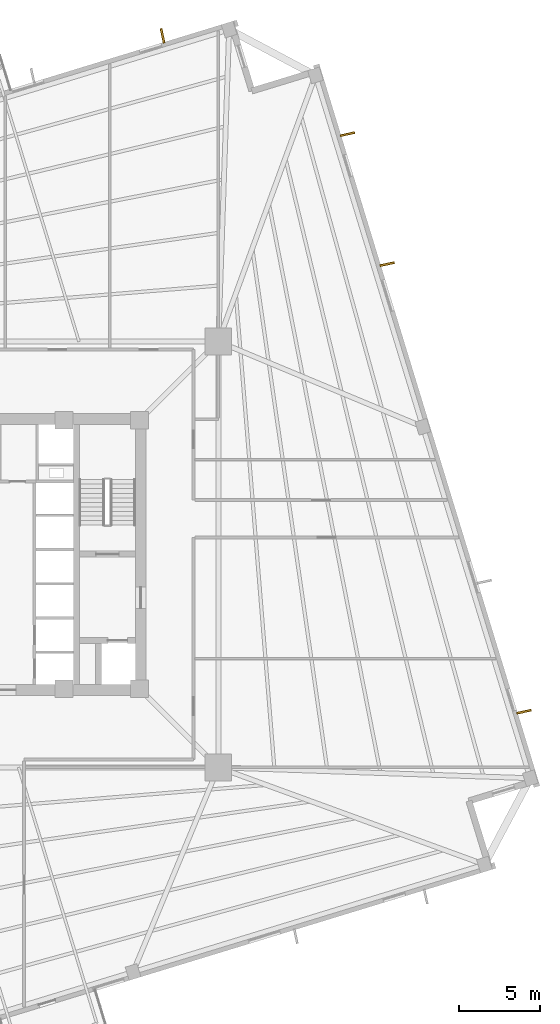
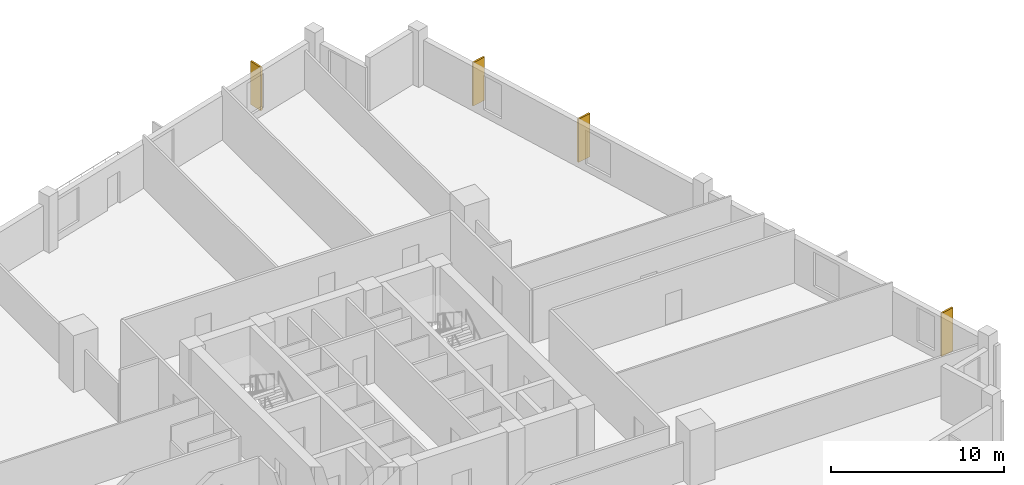
# One storey, part 9 of 9: 4 coverings.
"""IFC4 building model written with IfcOpenShell, lengths in metres."""

from ifc_helpers import new_model, si_unit, direction, frame, origin, origin_2d, place, context, subcontext, project, spatial, rectangle, extrude, source, transform, mapped, material, layer, layer_set, type_object, element, save


model = new_model("IFC4")

# Units and contexts
model_context = context("Model", 3, precision=1e-05, world=origin(), true_north=direction((0.0, 1.0)))
body_context = subcontext(model_context, "Body", "Model", "MODEL_VIEW")
ifc_project = project(units=[si_unit("LENGTHUNIT", "METRE"), si_unit("AREAUNIT", "SQUARE_METRE"), si_unit("VOLUMEUNIT", "CUBIC_METRE"), si_unit("PLANEANGLEUNIT", "RADIAN"), si_unit("MASSUNIT", "GRAM", prefix="KILO"), si_unit("THERMODYNAMICTEMPERATUREUNIT", "KELVIN")], contexts=[model_context])

# Site, building, storey
site_placement = place(None, origin())
site = spatial("IfcSite", under=ifc_project, at=site_placement, CompositionType="ELEMENT")
building_placement = place(site_placement, origin())
building = spatial("IfcBuilding", under=site, at=building_placement, Name="Kosmvard Interchange Tower", CompositionType="ELEMENT")
storey_placement = place(building_placement, frame((0.0, 0.0, 127.199951171875)))
storey = spatial("IfcBuildingStorey", under=building, at=storey_placement, Name="L30", CompositionType="ELEMENT", Elevation=127.199951171875)

# Coverings
ifc_material = material(Name="Architectural anodised aluminium", Category="aluminium")
ifc_layer = layer(ifc_material, 0.1201171875, Name="Architectural anodised aluminium")
ifc_layer_set = layer_set([ifc_layer], Name="Architectural anodised aluminium")
covering_type = type_object("IfcCoveringType", Name="Rotating Vertical Sun-Breaker Fin 900x120 Aluminium", PredefinedType="CLADDING", material=ifc_layer_set)
shared_shape = source(origin(), body_context, "Body", "SweptSolid", [
    extrude(rectangle(XDim=0.89990234375, YDim=0.1201171875, at=origin_2d()), origin(), (0.0, 0.0, 1.0), 3.06005859375),
])
for number, where, z_axis, x_axis, name in (
    (1, (31.865966796875, -9.6572265625, 0.0400390625), (0.0, 0.0, 1.0), (0.977156982948, 0.21251877723, 0.0), "L30 Rotating Vertical Sun-Breaker Fin 05"),
    (2, (23.45849609375, 17.841796875, 0.0400390625), (0.0, 0.0, 1.0), (0.977156982948, 0.21251877723, 0.0), "L30 Rotating Vertical Sun-Breaker Fin 07"),
    (3, (21.017822265625, 25.825439453125, 0.0400390625), (0.0, 0.0, 1.0), (0.977156982948, 0.21251877723, 0.0), "L30 Rotating Vertical Sun-Breaker Fin 08"),
    (4, (9.6572265625, 31.865966796875, 0.0400390625), (0.0, 0.0, 1.0), (-0.21251877723, 0.977156982948, 0.0), "L30 Rotating Vertical Sun-Breaker Fin 09"),
):
    element("IfcCovering", number, at=place(storey_placement, frame(where, z_axis=z_axis, x_axis=x_axis)), inside=storey, type_object=covering_type, Name=name, PredefinedType="CLADDING", context=body_context, shape_type="MappedRepresentation", body=[
        mapped(shared_shape, transform((0.0, 0.0, 0.0), scale=1.0)),
    ])

save(model, "model.ifc")
